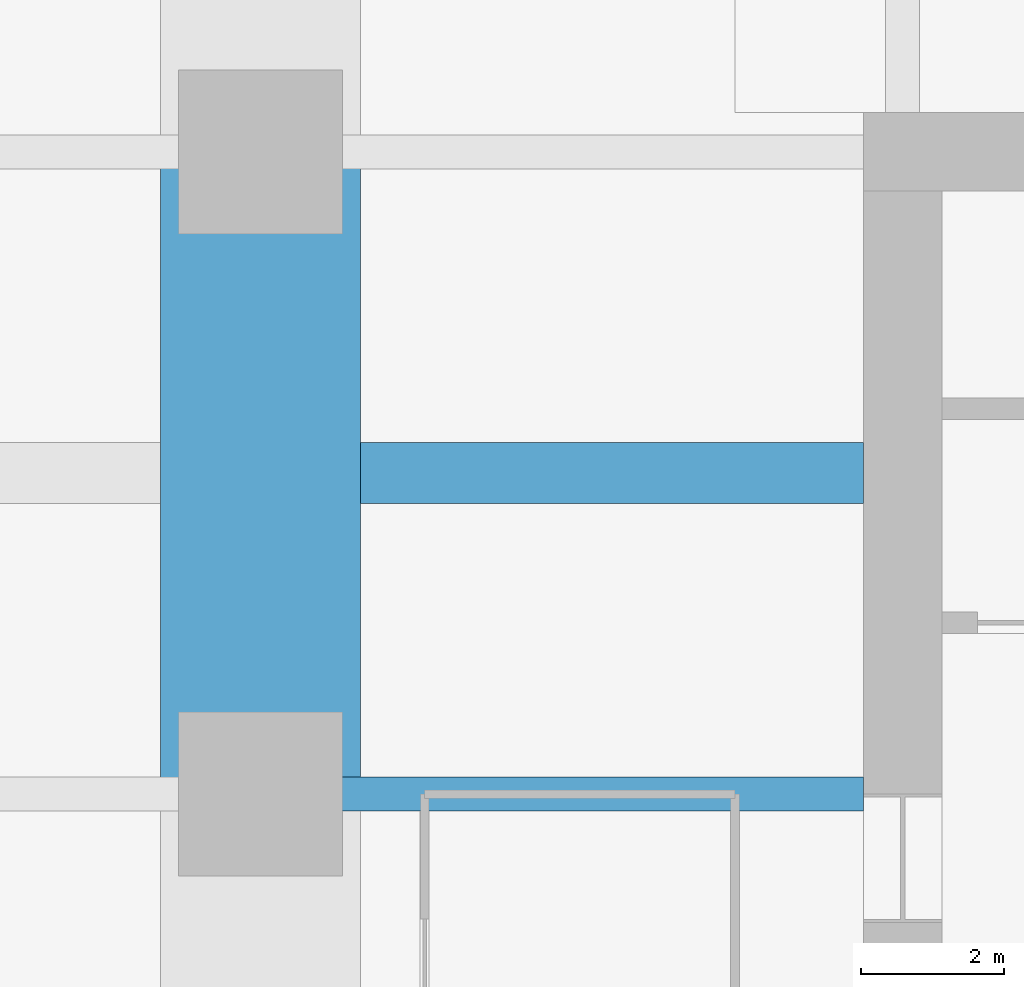
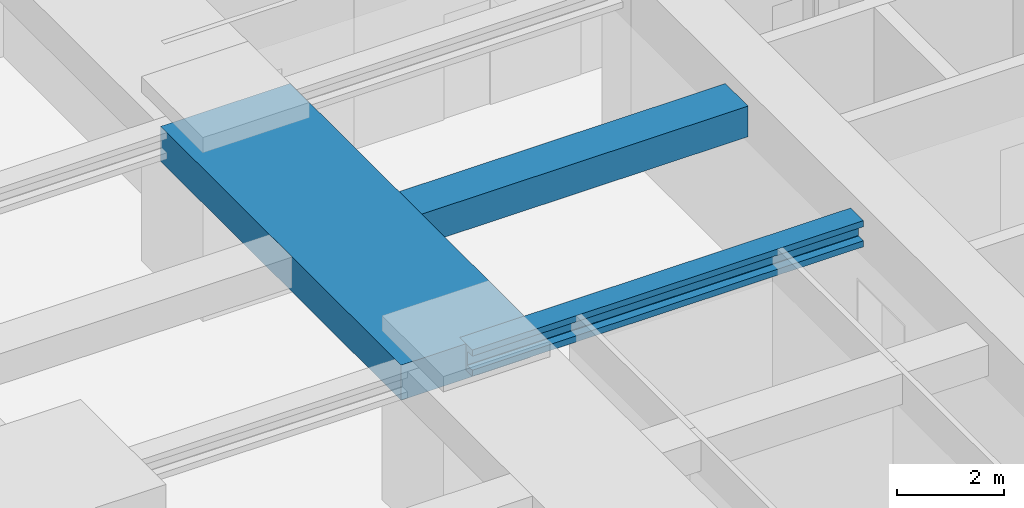
# One storey, part 13 of 39: 3 beams.
"""IFC4 building model written with IfcOpenShell, lengths in metres."""

import ifcopenshell
import ifcopenshell.guid

model = None  # the IFC model being written
_history = None  # IfcOwnerHistory: only IFC2X3 demands one
_inside = {}  # id of a spatial element -> (the spatial element, [elements in it])
_under = {}  # id of a project, library or spatial element -> (it, [spatial elements below it])
_declared = {}  # id of a project -> (the project, [libraries it declares])
_typed = {}  # id of a type object -> (the type object, [elements of that type])
_made_of = {}  # id of a material, layer set ... -> (it, [elements and type objects made of it])


def new_model(schema):
    """Start an empty IFC model of exactly this schema.

    Asked for "IFC4X3", IfcOpenShell would pick the latest addendum, in which some entities
    have other attributes; the version numbers below select the first issue.
    IFC2X3 requires an IfcOwnerHistory on every rooted entity: one is made here for all.
    """
    global model, _history
    if schema == "IFC4X3":
        model = ifcopenshell.file(schema_version=(4, 3, 0, 0))
    else:
        model = ifcopenshell.file(schema=schema)
    _inside.clear()
    _under.clear()
    _declared.clear()
    _typed.clear()
    _made_of.clear()
    _history = None
    if model.schema == "IFC2X3":
        org = make("IfcOrganization", Name="unknown")
        user = make(
            "IfcPersonAndOrganization",
            ThePerson=make("IfcPerson", FamilyName="unknown"),
            TheOrganization=org,
        )
        app = make(
            "IfcApplication",
            ApplicationDeveloper=org,
            Version="unknown",
            ApplicationFullName="unknown",
            ApplicationIdentifier="unknown",
        )
        _history = make(
            "IfcOwnerHistory",
            OwningUser=user,
            OwningApplication=app,
            ChangeAction="ADDED",
            CreationDate=0,
        )
    return model


def make(cls, **values):
    """One entity of the class cls with the attributes given. An attribute that is None is left unset."""
    return model.create_entity(
        cls, **{name: value for name, value in values.items() if value is not None}
    )


def rooted(cls, **values):
    """An entity with a GlobalId (a new one), such as an element, a storey or a relation."""
    return make(cls, GlobalId=ifcopenshell.guid.new(), OwnerHistory=_history, **values)


def si_unit(unit_type, name, prefix=None):
    """IfcSIUnit, for example si_unit("LENGTHUNIT", "METRE", prefix="MILLI")."""
    return make("IfcSIUnit", UnitType=unit_type, Prefix=prefix, Name=name)


def assignment(units):
    """IfcUnitAssignment: the units of a project."""
    return None if units is None else make("IfcUnitAssignment", Units=units)


def point(xyz):
    """IfcCartesianPoint."""
    return None if xyz is None else make("IfcCartesianPoint", Coordinates=xyz)


def direction(xyz):
    """IfcDirection."""
    return None if xyz is None else make("IfcDirection", DirectionRatios=xyz)


def frame(location, z_axis=None, x_axis=None):
    """IfcAxis2Placement3D, a coordinate frame: its origin and axes. An axis left out is left unset."""
    return make(
        "IfcAxis2Placement3D",
        Location=point(location),
        Axis=direction(z_axis),
        RefDirection=direction(x_axis),
    )


def frame_2d(location, x_axis=None):
    """IfcAxis2Placement2D, a coordinate frame in the plane: its origin and x axis."""
    return make(
        "IfcAxis2Placement2D", Location=point(location), RefDirection=direction(x_axis)
    )


def origin():
    """The frame at (0, 0, 0) with its axes left unset."""
    return frame((0.0, 0.0, 0.0))


def origin_2d():
    """The frame at (0, 0) in the plane with its x axis left unset."""
    return frame_2d((0.0, 0.0))


def place(relative_to, where):
    """IfcLocalPlacement: puts the frame where relative to a parent placement (None: the world)."""
    return make(
        "IfcLocalPlacement", PlacementRelTo=relative_to, RelativePlacement=where
    )


def context(
    kind, dimensions, precision=None, world=None, true_north=None, identifier=None
):
    """IfcGeometricRepresentationContext, for example the 3D "Model" context."""
    return make(
        "IfcGeometricRepresentationContext",
        ContextIdentifier=identifier,
        ContextType=kind,
        CoordinateSpaceDimension=dimensions,
        Precision=precision,
        WorldCoordinateSystem=world,
        TrueNorth=true_north,
    )


def subcontext(parent, identifier, kind, view, scale=None):
    """IfcGeometricRepresentationSubContext, for example "Body" below "Model"."""
    return make(
        "IfcGeometricRepresentationSubContext",
        ContextIdentifier=identifier,
        ContextType=kind,
        ParentContext=parent,
        TargetScale=scale,
        TargetView=view,
    )


def project(units=None, contexts=None):
    """IfcProject with its units and contexts."""
    return rooted(
        "IfcProject",
        Name="project",
        RepresentationContexts=contexts,
        UnitsInContext=assignment(units),
    )


def spatial(cls, under=None, at=None, **own):
    """A site, building, storey or space (cls), placed at a placement, below another one or the project."""
    s = rooted(cls, ObjectPlacement=at, **own)
    if under is not None:
        _under.setdefault(under.id(), (under, []))[1].append(s)
    return s


def profile(cls, at=None, kind="AREA", **sizes):
    """A parametric profile (cls). Its sizes go by their IFC names, for example OverallWidth=200.0."""
    return make(cls, ProfileType=kind, Position=at, **sizes)


def rectangle(**sizes):
    """IfcRectangleProfileDef."""
    return profile("IfcRectangleProfileDef", **sizes)


def i_section(**sizes):
    """IfcIShapeProfileDef."""
    return profile("IfcIShapeProfileDef", **sizes)


def extrude(swept, where, along, depth):
    """IfcExtrudedAreaSolid: the profile swept, set in the frame where, extruded along a direction by depth."""
    return make(
        "IfcExtrudedAreaSolid",
        SweptArea=swept,
        Position=where,
        ExtrudedDirection=direction(along),
        Depth=depth,
    )


def shape(context_of_items, identifier, shape_type, items):
    """IfcShapeRepresentation: the items that make up one representation, for example the "Body"."""
    return make(
        "IfcShapeRepresentation",
        ContextOfItems=context_of_items,
        RepresentationIdentifier=identifier,
        RepresentationType=shape_type,
        Items=items,
    )


def material(Name=None, Category=None):
    """IfcMaterial."""
    return make("IfcMaterial", Name=Name, Category=Category)


def material_profile(
    of_material, cross_section, Name=None, Category=None, Priority=None
):
    """IfcMaterialProfile: a cross section and its material."""
    return make(
        "IfcMaterialProfile",
        Name=Name,
        Material=of_material,
        Profile=cross_section,
        Priority=Priority,
        Category=Category,
    )


def profile_set(profiles, Name=None, composite=None):
    """IfcMaterialProfileSet."""
    return make(
        "IfcMaterialProfileSet",
        Name=Name,
        MaterialProfiles=profiles,
        CompositeProfile=composite,
    )


def made_of(thing, what):
    """Note that an element or type object is made of a material, layer set ...; save() writes the relation."""
    if what is not None:
        _made_of.setdefault(what.id(), (what, []))[1].append(thing)
    return thing


def type_object(cls, material=None, **own):
    """A type object (cls), such as IfcWallType, which elements share."""
    return made_of(rooted(cls, **own), material)


def element(
    cls,
    number,
    at=None,
    inside=None,
    cuts=None,
    type_object=None,
    material=None,
    context=None,
    identifier="Body",
    shape_type=None,
    held_by="IfcProductDefinitionShape",
    body=None,
    shapes=None,
    **own,
):
    """One element of the class cls, such as IfcWall. Its Tag is "e" and its number.

    at: its placement. inside: the storey or other place that contains it. cuts: it is an
    opening in that element (IfcRelVoidsElement). A single representation is given by context,
    identifier, shape_type and body (its items); several are given by shapes. held_by: the class
    of the entity that holds the representations. save() writes the other relations.
    """
    e = rooted(cls, Tag="e%d" % number, ObjectPlacement=at, **own)
    if body is not None:
        shapes = [shape(context, identifier, shape_type, body)]
    if shapes is not None:
        e.Representation = make(held_by, Representations=shapes)
    if inside is not None:
        _inside.setdefault(inside.id(), (inside, []))[1].append(e)
    if cuts is not None:
        rooted(
            "IfcRelVoidsElement", RelatingBuildingElement=cuts, RelatedOpeningElement=e
        )
    if type_object is not None:
        _typed.setdefault(type_object.id(), (type_object, []))[1].append(e)
    return made_of(e, material)


def aggregate(whole, parts):
    """IfcRelAggregates: a whole, such as a stair, and the parts it consists of."""
    return rooted("IfcRelAggregates", RelatingObject=whole, RelatedObjects=parts)


def save(model, path):
    """Write the relations noted so far, then the file.

    IfcRelAggregates (storeys below a building ...), IfcRelContainedInSpatialStructure (elements
    in a storey), IfcRelDefinesByType, IfcRelAssociatesMaterial and IfcRelDeclares: one each for
    every whole, place, type object, material and project.
    """
    for whole, parts in _under.values():
        aggregate(whole, parts)
    for where, things in _inside.values():
        rooted(
            "IfcRelContainedInSpatialStructure",
            RelatedElements=things,
            RelatingStructure=where,
        )
    for kind, things in _typed.values():
        rooted("IfcRelDefinesByType", RelatedObjects=things, RelatingType=kind)
    for what, things in _made_of.values():
        rooted("IfcRelAssociatesMaterial", RelatedObjects=things, RelatingMaterial=what)
    for by, libraries in _declared.values():
        rooted("IfcRelDeclares", RelatingContext=by, RelatedDefinitions=libraries)
    model.write(path)


model = new_model("IFC4")

# Units and contexts
model_context = context("Model", 3, precision=1e-05, world=origin(), true_north=direction((0.0, 1.0)))
body_context = subcontext(model_context, "Body", "Model", "MODEL_VIEW")
ifc_project = project(units=[si_unit("LENGTHUNIT", "METRE"), si_unit("AREAUNIT", "SQUARE_METRE"), si_unit("VOLUMEUNIT", "CUBIC_METRE"), si_unit("PLANEANGLEUNIT", "RADIAN"), si_unit("MASSUNIT", "GRAM", prefix="KILO")], contexts=[model_context])

# Site, building, storey
site_placement = place(None, origin())
site = spatial("IfcSite", under=ifc_project, at=site_placement, CompositionType="ELEMENT")
building_placement = place(site_placement, origin())
building = spatial("IfcBuilding", under=site, at=building_placement, Name="Zorevar Civic Tower", CompositionType="ELEMENT")
storey_placement = place(building_placement, frame((0.0, 0.0, 230.199951171875)))
storey = spatial("IfcBuildingStorey", under=building, at=storey_placement, Name="L56", CompositionType="ELEMENT", Elevation=230.199951171875)

# Beams
ifc_material_1 = material(Name="Concrete C50/60", Category="concrete")
ifc_material_profile_1 = material_profile(ifc_material_1, rectangle(XDim=2.800048828125, YDim=0.800048828125, at=origin_2d()), Name="RC 2800x800")
ifc_profile_set_1 = profile_set([ifc_material_profile_1], Name="Concrete C50/60")
beam_type_1 = type_object("IfcBeamType", Name="Beam RC 2800x800", PredefinedType="BEAM", material=ifc_profile_set_1)
beam_1_placement = place(storey_placement, frame((9.0, 27.0, 3.449951171875), z_axis=(0.0, 1.0, 0.0), x_axis=(-1.0, 0.0, 0.0)))
element("IfcBeam", 1, at=beam_1_placement, inside=storey, type_object=beam_type_1, Name="Girder L57", PredefinedType="BEAM", context=body_context, shape_type="SweptSolid", body=[
    extrude(rectangle(XDim=2.800048828125, YDim=0.800048828125, at=origin_2d()), origin(), (0.0, 0.0, 1.0), 9.0),
])
ifc_material_2 = material(Name="Concrete C50/60", Category="concrete")
ifc_material_profile_2 = material_profile(ifc_material_2, rectangle(XDim=0.85009765625, YDim=0.699951171875, at=origin_2d()), Name="RC 850x700")
ifc_profile_set_2 = profile_set([ifc_material_profile_2], Name="Concrete C50/60")
beam_type_2 = type_object("IfcBeamType", Name="Beam RC 850x700", PredefinedType="BEAM", material=ifc_profile_set_2)
beam_2_placement = place(storey_placement, frame((10.39990234375, 31.5, 3.5), z_axis=(1.0, 0.0, 0.0), x_axis=(0.0, 1.0, 0.0)))
element("IfcBeam", 2, at=beam_2_placement, inside=storey, type_object=beam_type_2, Name="Secondary beam L57", PredefinedType="BEAM", context=body_context, shape_type="SweptSolid", body=[
    extrude(rectangle(XDim=0.85009765625, YDim=0.699951171875, at=origin_2d()), origin(), (0.0, 0.0, 1.0), 7.050048828125),
])
ifc_material_3 = material(Name="Steel S460M (HISTAR 460)", Category="steel")
ifc_material_profile_3 = material_profile(ifc_material_3, i_section(OverallWidth=0.47607421875, OverallDepth=0.60009765625, WebThickness=0.10009765625, FlangeThickness=0.139892578125, FilletRadius=0.014892578125, at=origin_2d()), Name="HD 400x1299")
ifc_profile_set_3 = profile_set([ifc_material_profile_3], Name="Steel S460M (HISTAR 460)")
beam_type_3 = type_object("IfcBeamType", Name="Outrigger chord HD 400x1299", PredefinedType="BEAM", material=ifc_profile_set_3)
beam_3_placement = place(storey_placement, frame((9.0, 27.0, 3.550048828125), z_axis=(1.0, 0.0, 0.0), x_axis=(0.0, 1.0, 0.0)))
element("IfcBeam", 3, at=beam_3_placement, inside=storey, type_object=beam_type_3, Name="Outrigger chord L57", PredefinedType="BEAM", context=body_context, shape_type="SweptSolid", body=[
    extrude(i_section(OverallWidth=0.47607421875, OverallDepth=0.60009765625, WebThickness=0.10009765625, FlangeThickness=0.139892578125, FilletRadius=0.014892578125, at=origin_2d()), origin(), (0.0, 0.0, 1.0), 8.449951171875),
])

save(model, "model.ifc")
